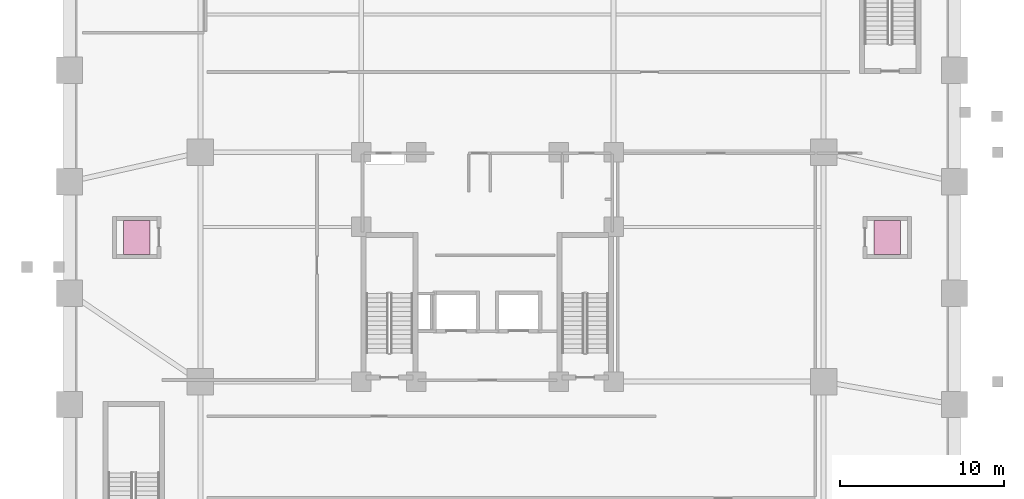
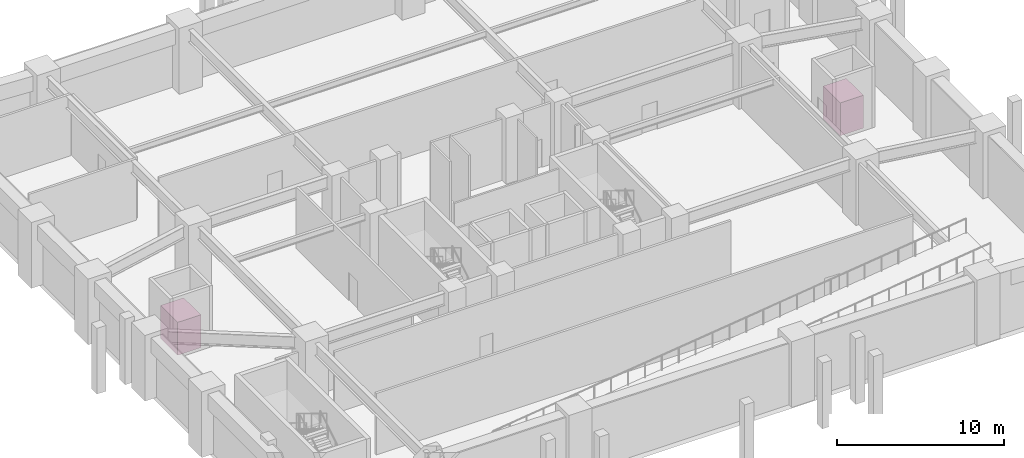
# One storey, part 8 of 8: 2 transport elements.
"""IFC4 building model written with IfcOpenShell, lengths in metres."""

from ifc_helpers import new_model, si_unit, derived_unit, direction, frame, origin, origin_2d, place, context, subcontext, project, spatial, rectangle, extrude, material, type_object, element, save


model = new_model("IFC4")

# Units and contexts
model_context = context("Model", 3, precision=1e-05, world=origin(), true_north=direction((0.0, 1.0)))
body_context = subcontext(model_context, "Body", "Model", "MODEL_VIEW")
ifc_project = project(units=[si_unit("LENGTHUNIT", "METRE"), si_unit("AREAUNIT", "SQUARE_METRE"), si_unit("VOLUMEUNIT", "CUBIC_METRE"), si_unit("PLANEANGLEUNIT", "RADIAN"), si_unit("MASSUNIT", "GRAM", prefix="KILO"), derived_unit("THERMALTRANSMITTANCEUNIT", [(si_unit("MASSUNIT", "GRAM", prefix="KILO"), 1), (si_unit("TIMEUNIT", "SECOND"), -3), (si_unit("THERMODYNAMICTEMPERATUREUNIT", "KELVIN"), -1)])], contexts=[model_context])

# Site, building, storey
site_placement = place(None, origin())
site = spatial("IfcSite", under=ifc_project, at=site_placement, CompositionType="ELEMENT")
building_placement = place(site_placement, origin())
building = spatial("IfcBuilding", under=site, at=building_placement, Name="Korrvale Station Residences", CompositionType="ELEMENT")
storey_placement = place(building_placement, frame((0.0, 0.0, -4.800048828125)))
storey = spatial("IfcBuildingStorey", under=building, at=storey_placement, Name="B01", CompositionType="ELEMENT", Elevation=-4.800048828125)

# Transport elements
ifc_material = material(Name="Heavy-duty transit concourse glazed elevator cab", Category="steel")
transport_element_type = type_object("IfcTransportElementType", Name="LFT-TRN-1800", PredefinedType="ELEVATOR", material=ifc_material)
for number, where, z_axis, x_axis, name in (
    (1, (4.10009765625, 23.800048828125, 0.0), (0.0, 0.0, 1.0), (0.0, 1.0, 0.0), "Elevator TL-1"),
    (2, (49.89990234375, 23.800048828125, 0.0), (0.0, 0.0, 1.0), (0.0, 1.0, 0.0), "Elevator TL-2"),
):
    element("IfcTransportElement", number, at=place(storey_placement, frame(where, z_axis=z_axis, x_axis=x_axis)), inside=storey, type_object=transport_element_type, Name=name, PredefinedType="ELEVATOR", context=body_context, shape_type="SweptSolid", body=[
        extrude(rectangle(XDim=2.050048828125, YDim=1.60009765625, at=origin_2d()), origin(), (0.0, 0.0, 1.0), 2.39990234375),
    ])

save(model, "model.ifc")
